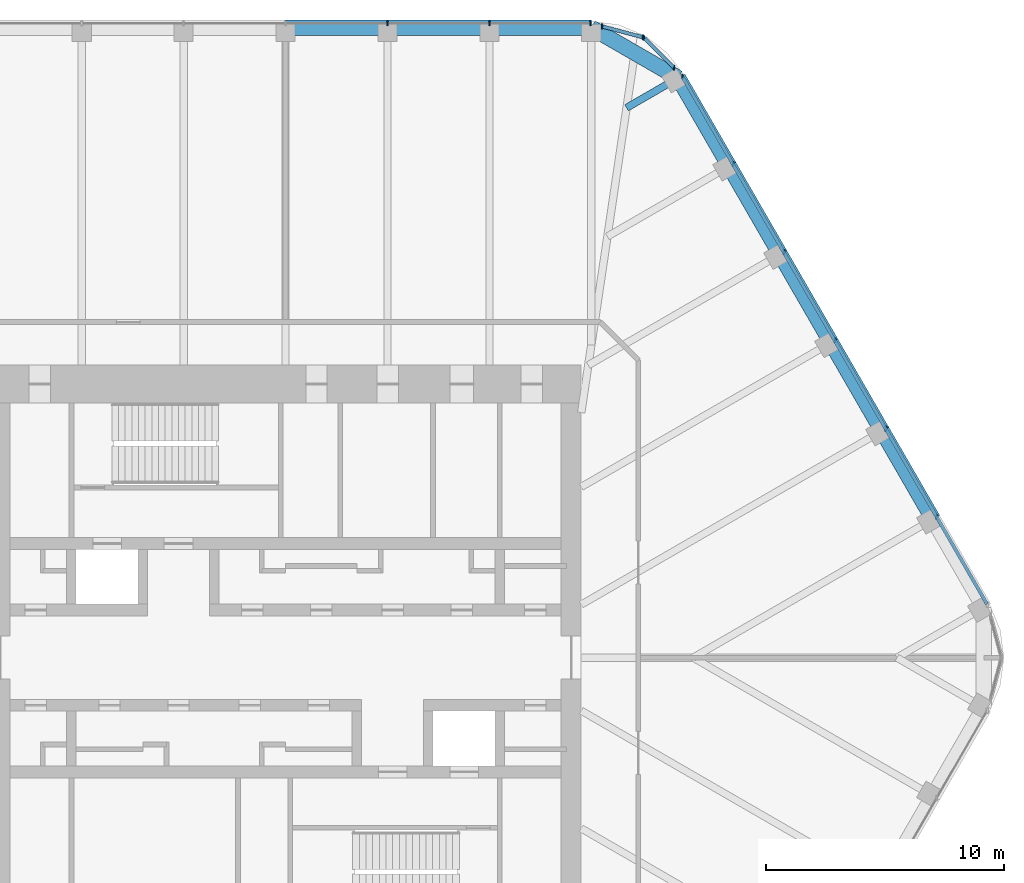
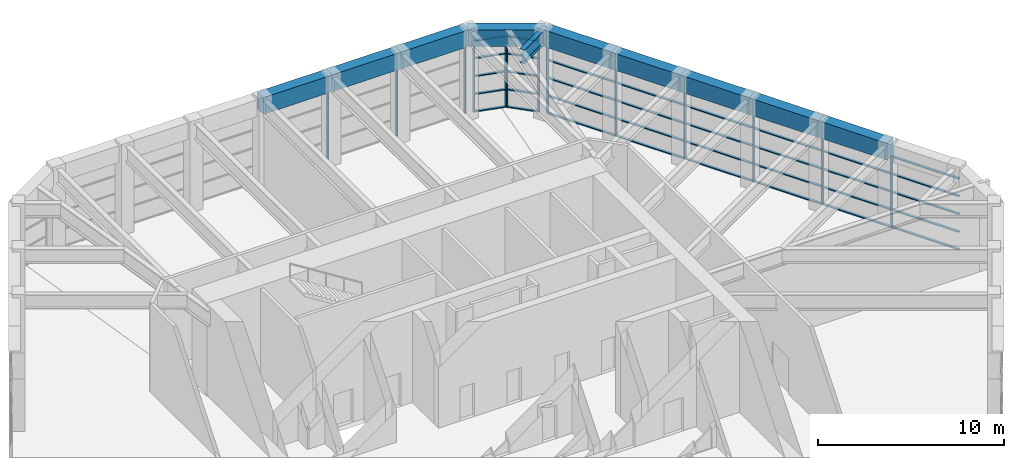
# One storey, part 9 of 16: 28 members, 10 beams, 4 elements without a shape of their own.
"""IFC4 building model written with IfcOpenShell, lengths in metres."""

from ifc_helpers import new_model, si_unit, direction, frame, origin, origin_2d, place, context, subcontext, project, spatial, rectangle, i_section, extrude, material, material_profile, profile_set, type_object, element, aggregate, save


model = new_model("IFC4")

# Units and contexts
model_context = context("Model", 3, precision=1e-05, world=origin(), true_north=direction((0.0, 1.0)))
body_context = subcontext(model_context, "Body", "Model", "MODEL_VIEW")
ifc_project = project(units=[si_unit("LENGTHUNIT", "METRE"), si_unit("AREAUNIT", "SQUARE_METRE"), si_unit("VOLUMEUNIT", "CUBIC_METRE"), si_unit("PLANEANGLEUNIT", "RADIAN"), si_unit("MASSUNIT", "GRAM", prefix="KILO")], contexts=[model_context])

# Site, building, storey
site_placement = place(None, origin())
site = spatial("IfcSite", under=ifc_project, at=site_placement, CompositionType="ELEMENT")
building_placement = place(site_placement, origin())
building = spatial("IfcBuilding", under=site, at=building_placement, Name="Tarfa Lantern Tower", CompositionType="ELEMENT")
storey_placement = place(building_placement, frame((0.0, 0.0, 396.300048828125)))
storey = spatial("IfcBuildingStorey", under=building, at=storey_placement, Name="L90", CompositionType="ELEMENT", Elevation=396.300048828125)

# Curtain wall, members
ifc_material_1 = material(Name="Aluminium framed curtain wall", Category="aluminium")
curtain_wall_type = type_object("IfcCurtainWallType", Name="CW8 LANTERN GLAZING 4700", PredefinedType="USERDEFINED", material=ifc_material_1)
curtain_wall_1_placement = place(storey_placement, origin())
curtain_wall_1 = element("IfcCurtainWall", 1, at=curtain_wall_1_placement, inside=storey, type_object=curtain_wall_type, Name="CW8 NEN1 L90", ObjectType="CURTAIN WALL", PredefinedType="USERDEFINED")
ifc_material_2 = material(Name="Aluminium mullion", Category="aluminium")
ifc_material_profile_1 = material_profile(ifc_material_2, rectangle(XDim=0.06494140625, YDim=0.199951171875, at=origin_2d()), Name="AL MULLION 65x200")
ifc_profile_set_1 = profile_set([ifc_material_profile_1], Name="Aluminium mullion")
member_type_1 = type_object("IfcMemberType", Name="CWM1 MULLION 65x200", PredefinedType="MULLION", material=ifc_profile_set_1)
member_1_placement = place(storey_placement, frame((16.32177734375, 24.78466796875, 0.0), z_axis=(0.0, 0.0, 1.0), x_axis=(1.0, 0.0, 0.0)))
member_1 = element("IfcMember", 2, at=member_1_placement, type_object=member_type_1, Name="CW8 mullion 1", PredefinedType="MULLION", context=body_context, shape_type="SweptSolid", body=[
    extrude(rectangle(XDim=0.06494140625, YDim=0.199951171875, at=origin_2d()), origin(), (0.0, 0.0, 1.0), 4.699951171875),
])
member_2_placement = place(storey_placement, frame((15.069091796875, 26.03759765625, 0.0), z_axis=(0.0, 0.0, 1.0), x_axis=(1.0, 0.0, 0.0)))
member_2 = element("IfcMember", 3, at=member_2_placement, type_object=member_type_1, Name="CW8 mullion 2", PredefinedType="MULLION", context=body_context, shape_type="SweptSolid", body=[
    extrude(rectangle(XDim=0.06494140625, YDim=0.199951171875, at=origin_2d()), origin(), (0.0, 0.0, 1.0), 4.699951171875),
])

curtain_wall_2_placement = place(storey_placement, origin())
curtain_wall_2 = element("IfcCurtainWall", 4, at=curtain_wall_2_placement, inside=storey, type_object=curtain_wall_type, Name="CW8 NEN2 L90", ObjectType="CURTAIN WALL", PredefinedType="USERDEFINED")
member_3_placement = place(storey_placement, frame((15.0146484375, 26.06884765625, 0.0), z_axis=(0.0, 0.0, 1.0), x_axis=(1.0, 0.0, 0.0)))
member_3 = element("IfcMember", 5, at=member_3_placement, type_object=member_type_1, Name="CW8 mullion 1", PredefinedType="MULLION", context=body_context, shape_type="SweptSolid", body=[
    extrude(rectangle(XDim=0.06494140625, YDim=0.199951171875, at=origin_2d()), origin(), (0.0, 0.0, 1.0), 4.699951171875),
])
member_4_placement = place(storey_placement, frame((13.30322265625, 26.527587890625, 0.0), z_axis=(0.0, 0.0, 1.0), x_axis=(1.0, 0.0, 0.0)))
member_4 = element("IfcMember", 6, at=member_4_placement, type_object=member_type_1, Name="CW8 mullion 2", PredefinedType="MULLION", context=body_context, shape_type="SweptSolid", body=[
    extrude(rectangle(XDim=0.06494140625, YDim=0.199951171875, at=origin_2d()), origin(), (0.0, 0.0, 1.0), 4.699951171875),
])

curtain_wall_3_placement = place(storey_placement, origin())
curtain_wall_3 = element("IfcCurtainWall", 7, at=curtain_wall_3_placement, inside=storey, type_object=curtain_wall_type, Name="CW8 NE L90", ObjectType="CURTAIN WALL", PredefinedType="USERDEFINED")
member_5_placement = place(storey_placement, frame((27.361572265625, 5.908447265625, 0.0), z_axis=(0.0, 0.0, 1.0), x_axis=(1.0, 0.0, 0.0)))
member_5 = element("IfcMember", 8, at=member_5_placement, type_object=member_type_1, Name="CW8 mullion 2", PredefinedType="MULLION", context=body_context, shape_type="SweptSolid", body=[
    extrude(rectangle(XDim=0.06494140625, YDim=0.199951171875, at=origin_2d()), origin(), (0.0, 0.0, 1.0), 4.699951171875),
])
member_6_placement = place(storey_placement, frame((25.220703125, 9.61669921875, 0.0), z_axis=(0.0, 0.0, 1.0), x_axis=(1.0, 0.0, 0.0)))
member_6 = element("IfcMember", 9, at=member_6_placement, type_object=member_type_1, Name="CW8 mullion 3", PredefinedType="MULLION", context=body_context, shape_type="SweptSolid", body=[
    extrude(rectangle(XDim=0.06494140625, YDim=0.199951171875, at=origin_2d()), origin(), (0.0, 0.0, 1.0), 4.699951171875),
])
member_7_placement = place(storey_placement, frame((23.07958984375, 13.324951171875, 0.0), z_axis=(0.0, 0.0, 1.0), x_axis=(1.0, 0.0, 0.0)))
member_7 = element("IfcMember", 10, at=member_7_placement, type_object=member_type_1, Name="CW8 mullion 4", PredefinedType="MULLION", context=body_context, shape_type="SweptSolid", body=[
    extrude(rectangle(XDim=0.06494140625, YDim=0.199951171875, at=origin_2d()), origin(), (0.0, 0.0, 1.0), 4.699951171875),
])
member_8_placement = place(storey_placement, frame((20.9384765625, 17.033447265625, 0.0), z_axis=(0.0, 0.0, 1.0), x_axis=(1.0, 0.0, 0.0)))
member_8 = element("IfcMember", 11, at=member_8_placement, type_object=member_type_1, Name="CW8 mullion 5", PredefinedType="MULLION", context=body_context, shape_type="SweptSolid", body=[
    extrude(rectangle(XDim=0.06494140625, YDim=0.199951171875, at=origin_2d()), origin(), (0.0, 0.0, 1.0), 4.699951171875),
])
member_9_placement = place(storey_placement, frame((18.797607421875, 20.74169921875, 0.0), z_axis=(0.0, 0.0, 1.0), x_axis=(1.0, 0.0, 0.0)))
member_9 = element("IfcMember", 12, at=member_9_placement, type_object=member_type_1, Name="CW8 mullion 6", PredefinedType="MULLION", context=body_context, shape_type="SweptSolid", body=[
    extrude(rectangle(XDim=0.06494140625, YDim=0.199951171875, at=origin_2d()), origin(), (0.0, 0.0, 1.0), 4.699951171875),
])
member_10_placement = place(storey_placement, frame((16.6728515625, 24.421875, 0.0), z_axis=(0.0, 0.0, 1.0), x_axis=(1.0, 0.0, 0.0)))
member_10 = element("IfcMember", 13, at=member_10_placement, type_object=member_type_1, Name="CW8 mullion 7", PredefinedType="MULLION", context=body_context, shape_type="SweptSolid", body=[
    extrude(rectangle(XDim=0.06494140625, YDim=0.199951171875, at=origin_2d()), origin(), (0.0, 0.0, 1.0), 4.699951171875),
])

curtain_wall_4_placement = place(storey_placement, origin())
curtain_wall_4 = element("IfcCurtainWall", 14, at=curtain_wall_4_placement, inside=storey, type_object=curtain_wall_type, Name="CW8 N L90", ObjectType="CURTAIN WALL", PredefinedType="USERDEFINED")
member_11_placement = place(storey_placement, frame((12.8134765625, 26.64990234375, 0.0), z_axis=(0.0, 0.0, 1.0), x_axis=(1.0, 0.0, 0.0)))
member_11 = element("IfcMember", 15, at=member_11_placement, type_object=member_type_1, Name="CW8 mullion 1", PredefinedType="MULLION", context=body_context, shape_type="SweptSolid", body=[
    extrude(rectangle(XDim=0.06494140625, YDim=0.199951171875, at=origin_2d()), origin(), (0.0, 0.0, 1.0), 4.699951171875),
])
member_12_placement = place(storey_placement, frame((8.56396484375, 26.64990234375, 0.0), z_axis=(0.0, 0.0, 1.0), x_axis=(1.0, 0.0, 0.0)))
member_12 = element("IfcMember", 16, at=member_12_placement, type_object=member_type_1, Name="CW8 mullion 2", PredefinedType="MULLION", context=body_context, shape_type="SweptSolid", body=[
    extrude(rectangle(XDim=0.06494140625, YDim=0.199951171875, at=origin_2d()), origin(), (0.0, 0.0, 1.0), 4.699951171875),
])
member_13_placement = place(storey_placement, frame((4.281982421875, 26.64990234375, 0.0), z_axis=(0.0, 0.0, 1.0), x_axis=(1.0, 0.0, 0.0)))
member_13 = element("IfcMember", 17, at=member_13_placement, type_object=member_type_1, Name="CW8 mullion 3", PredefinedType="MULLION", context=body_context, shape_type="SweptSolid", body=[
    extrude(rectangle(XDim=0.06494140625, YDim=0.199951171875, at=origin_2d()), origin(), (0.0, 0.0, 1.0), 4.699951171875),
])
aggregate(curtain_wall_4, [member_11, member_12, member_13])

# Member
ifc_material_3 = material(Name="Aluminium transom", Category="aluminium")
ifc_material_profile_2 = material_profile(ifc_material_3, rectangle(XDim=0.14990234375, YDim=0.06494140625, at=origin_2d()), Name="AL TRANSOM 150x65")
ifc_profile_set_2 = profile_set([ifc_material_profile_2], Name="Aluminium transom")
member_type_2 = type_object("IfcMemberType", Name="CWT1 TRANSOM 150x65", PredefinedType="USERDEFINED", material=ifc_profile_set_2)
member_14_placement = place(storey_placement, frame((16.298828125, 24.8076171875, 0.032470703125), z_axis=(-0.707035258729, 0.70717829641, 0.0), x_axis=(-0.70717829641, -0.707035258729, 0.0)))
member_14 = element("IfcMember", 18, at=member_14_placement, type_object=member_type_2, Name="CW8 transom 1.1", ObjectType="TRANSOM", PredefinedType="USERDEFINED", context=body_context, shape_type="SweptSolid", body=[
    extrude(rectangle(XDim=0.14990234375, YDim=0.06494140625, at=origin_2d()), origin(), (0.0, 0.0, 1.0), 1.706787109375),
])

member_15_placement = place(storey_placement, frame((16.298828125, 24.8076171875, 1.175048828125), z_axis=(-0.707035258729, 0.70717829641, 0.0), x_axis=(-0.70717829641, -0.707035258729, 0.0)))
member_15 = element("IfcMember", 19, at=member_15_placement, type_object=member_type_2, Name="CW8 transom 1.2", ObjectType="TRANSOM", PredefinedType="USERDEFINED", context=body_context, shape_type="SweptSolid", body=[
    extrude(rectangle(XDim=0.14990234375, YDim=0.06494140625, at=origin_2d()), origin(), (0.0, 0.0, 1.0), 1.706787109375),
])

member_16_placement = place(storey_placement, frame((16.298828125, 24.8076171875, 2.349853515625), z_axis=(-0.707035258729, 0.70717829641, 0.0), x_axis=(-0.70717829641, -0.707035258729, 0.0)))
member_16 = element("IfcMember", 20, at=member_16_placement, type_object=member_type_2, Name="CW8 transom 1.3", ObjectType="TRANSOM", PredefinedType="USERDEFINED", context=body_context, shape_type="SweptSolid", body=[
    extrude(rectangle(XDim=0.14990234375, YDim=0.06494140625, at=origin_2d()), origin(), (0.0, 0.0, 1.0), 1.706787109375),
])

member_17_placement = place(storey_placement, frame((16.298828125, 24.8076171875, 3.52490234375), z_axis=(-0.707035258729, 0.70717829641, 0.0), x_axis=(-0.70717829641, -0.707035258729, 0.0)))
member_17 = element("IfcMember", 21, at=member_17_placement, type_object=member_type_2, Name="CW8 transom 1.4", ObjectType="TRANSOM", PredefinedType="USERDEFINED", context=body_context, shape_type="SweptSolid", body=[
    extrude(rectangle(XDim=0.14990234375, YDim=0.06494140625, at=origin_2d()), origin(), (0.0, 0.0, 1.0), 1.706787109375),
])

member_18_placement = place(storey_placement, frame((16.298828125, 24.8076171875, 4.66748046875), z_axis=(-0.707035258729, 0.70717829641, 0.0), x_axis=(-0.70717829641, -0.707035258729, 0.0)))
member_18 = element("IfcMember", 22, at=member_18_placement, type_object=member_type_2, Name="CW8 transom 1.5", ObjectType="TRANSOM", PredefinedType="USERDEFINED", context=body_context, shape_type="SweptSolid", body=[
    extrude(rectangle(XDim=0.14990234375, YDim=0.06494140625, at=origin_2d()), origin(), (0.0, 0.0, 1.0), 1.706787109375),
])

aggregate(curtain_wall_1, [member_1, member_2, member_14, member_15, member_16, member_17, member_18])

member_19_placement = place(storey_placement, frame((14.983154296875, 26.077392578125, 0.032470703125), z_axis=(-0.965932726646, 0.258793291247, 0.0), x_axis=(-0.258793291247, -0.965932726646, 0.0)))
member_19 = element("IfcMember", 23, at=member_19_placement, type_object=member_type_2, Name="CW8 transom 1.1", ObjectType="TRANSOM", PredefinedType="USERDEFINED", context=body_context, shape_type="SweptSolid", body=[
    extrude(rectangle(XDim=0.14990234375, YDim=0.06494140625, at=origin_2d()), origin(), (0.0, 0.0, 1.0), 1.70654296875),
])

member_20_placement = place(storey_placement, frame((14.983154296875, 26.077392578125, 1.175048828125), z_axis=(-0.965932726646, 0.258793291247, 0.0), x_axis=(-0.258793291247, -0.965932726646, 0.0)))
member_20 = element("IfcMember", 24, at=member_20_placement, type_object=member_type_2, Name="CW8 transom 1.2", ObjectType="TRANSOM", PredefinedType="USERDEFINED", context=body_context, shape_type="SweptSolid", body=[
    extrude(rectangle(XDim=0.14990234375, YDim=0.06494140625, at=origin_2d()), origin(), (0.0, 0.0, 1.0), 1.70654296875),
])

member_21_placement = place(storey_placement, frame((14.983154296875, 26.077392578125, 2.349853515625), z_axis=(-0.965932726646, 0.258793291247, 0.0), x_axis=(-0.258793291247, -0.965932726646, 0.0)))
member_21 = element("IfcMember", 25, at=member_21_placement, type_object=member_type_2, Name="CW8 transom 1.3", ObjectType="TRANSOM", PredefinedType="USERDEFINED", context=body_context, shape_type="SweptSolid", body=[
    extrude(rectangle(XDim=0.14990234375, YDim=0.06494140625, at=origin_2d()), origin(), (0.0, 0.0, 1.0), 1.70654296875),
])

member_22_placement = place(storey_placement, frame((14.983154296875, 26.077392578125, 3.52490234375), z_axis=(-0.965932726646, 0.258793291247, 0.0), x_axis=(-0.258793291247, -0.965932726646, 0.0)))
member_22 = element("IfcMember", 26, at=member_22_placement, type_object=member_type_2, Name="CW8 transom 1.4", ObjectType="TRANSOM", PredefinedType="USERDEFINED", context=body_context, shape_type="SweptSolid", body=[
    extrude(rectangle(XDim=0.14990234375, YDim=0.06494140625, at=origin_2d()), origin(), (0.0, 0.0, 1.0), 1.70654296875),
])

member_23_placement = place(storey_placement, frame((14.983154296875, 26.077392578125, 4.66748046875), z_axis=(-0.965932726646, 0.258793291247, 0.0), x_axis=(-0.258793291247, -0.965932726646, 0.0)))
member_23 = element("IfcMember", 27, at=member_23_placement, type_object=member_type_2, Name="CW8 transom 1.5", ObjectType="TRANSOM", PredefinedType="USERDEFINED", context=body_context, shape_type="SweptSolid", body=[
    extrude(rectangle(XDim=0.14990234375, YDim=0.06494140625, at=origin_2d()), origin(), (0.0, 0.0, 1.0), 1.70654296875),
])

aggregate(curtain_wall_2, [member_3, member_4, member_19, member_20, member_21, member_22, member_23])

member_24_placement = place(storey_placement, frame((29.47021484375, 2.25634765625, 0.032470703125), z_axis=(-0.500005475065, 0.866022242731, 0.0), x_axis=(-0.866022242731, -0.500005475065, 0.0)))
member_24 = element("IfcMember", 28, at=member_24_placement, type_object=member_type_2, Name="CW8 transom 1.1", ObjectType="TRANSOM", PredefinedType="USERDEFINED", context=body_context, shape_type="SweptSolid", body=[
    extrude(rectangle(XDim=0.14990234375, YDim=0.06494140625, at=origin_2d()), origin(), (0.0, 0.0, 1.0), 25.562255859375),
])

member_25_placement = place(storey_placement, frame((29.47021484375, 2.25634765625, 1.175048828125), z_axis=(-0.500005475065, 0.866022242731, 0.0), x_axis=(-0.866022242731, -0.500005475065, 0.0)))
member_25 = element("IfcMember", 29, at=member_25_placement, type_object=member_type_2, Name="CW8 transom 1.2", ObjectType="TRANSOM", PredefinedType="USERDEFINED", context=body_context, shape_type="SweptSolid", body=[
    extrude(rectangle(XDim=0.14990234375, YDim=0.06494140625, at=origin_2d()), origin(), (0.0, 0.0, 1.0), 25.562255859375),
])

member_26_placement = place(storey_placement, frame((29.47021484375, 2.25634765625, 2.349853515625), z_axis=(-0.500005475065, 0.866022242731, 0.0), x_axis=(-0.866022242731, -0.500005475065, 0.0)))
member_26 = element("IfcMember", 30, at=member_26_placement, type_object=member_type_2, Name="CW8 transom 1.3", ObjectType="TRANSOM", PredefinedType="USERDEFINED", context=body_context, shape_type="SweptSolid", body=[
    extrude(rectangle(XDim=0.14990234375, YDim=0.06494140625, at=origin_2d()), origin(), (0.0, 0.0, 1.0), 25.562255859375),
])

member_27_placement = place(storey_placement, frame((29.47021484375, 2.25634765625, 3.52490234375), z_axis=(-0.500005475065, 0.866022242731, 0.0), x_axis=(-0.866022242731, -0.500005475065, 0.0)))
member_27 = element("IfcMember", 31, at=member_27_placement, type_object=member_type_2, Name="CW8 transom 1.4", ObjectType="TRANSOM", PredefinedType="USERDEFINED", context=body_context, shape_type="SweptSolid", body=[
    extrude(rectangle(XDim=0.14990234375, YDim=0.06494140625, at=origin_2d()), origin(), (0.0, 0.0, 1.0), 25.562255859375),
])

member_28_placement = place(storey_placement, frame((29.47021484375, 2.25634765625, 4.66748046875), z_axis=(-0.500005475065, 0.866022242731, 0.0), x_axis=(-0.866022242731, -0.500005475065, 0.0)))
member_28 = element("IfcMember", 32, at=member_28_placement, type_object=member_type_2, Name="CW8 transom 1.5", ObjectType="TRANSOM", PredefinedType="USERDEFINED", context=body_context, shape_type="SweptSolid", body=[
    extrude(rectangle(XDim=0.14990234375, YDim=0.06494140625, at=origin_2d()), origin(), (0.0, 0.0, 1.0), 25.562255859375),
])

aggregate(curtain_wall_3, [member_5, member_6, member_7, member_8, member_9, member_10, member_24, member_25, member_26, member_27, member_28])

# Beams
ifc_material_4 = material(Name="Concrete C80/95", Category="concrete")
ifc_material_profile_3 = material_profile(ifc_material_4, rectangle(XDim=0.64990234375, YDim=1.10009765625, at=origin_2d()), Name="RC 650x1100")
ifc_profile_set_3 = profile_set([ifc_material_profile_3], Name="Concrete C80/95")
beam_type_1 = type_object("IfcBeamType", Name="EB4 RC 650x1100", PredefinedType="SPANDREL", material=ifc_profile_set_3)
beam_1_placement = place(storey_placement, frame((27.205810546875, 5.818359375, 5.25), z_axis=(-0.500026801138, 0.866009929587, 0.0), x_axis=(-0.866009929587, -0.500026801138, 0.0)))
element("IfcBeam", 33, at=beam_1_placement, inside=storey, type_object=beam_type_1, Name="Edge beam NE1", PredefinedType="SPANDREL", context=body_context, shape_type="SweptSolid", body=[
    extrude(rectangle(XDim=0.64990234375, YDim=1.10009765625, at=origin_2d()), origin(), (0.0, 0.0, 1.0), 4.281982421875),
])
beam_2_placement = place(storey_placement, frame((25.064697265625, 9.526611328125, 5.25), z_axis=(-0.500002112793, 0.866024183959, 0.0), x_axis=(-0.866024183959, -0.500002112793, 0.0)))
element("IfcBeam", 34, at=beam_2_placement, inside=storey, type_object=beam_type_1, Name="Edge beam NE2", PredefinedType="SPANDREL", context=body_context, shape_type="SweptSolid", body=[
    extrude(rectangle(XDim=0.64990234375, YDim=1.10009765625, at=origin_2d()), origin(), (0.0, 0.0, 1.0), 4.2822265625),
])
for number, where, z_axis, x_axis, name in (
    (35, (22.923583984375, 13.235107421875, 5.25), (-0.499984039138, 0.866034618596, 0.0), (-0.866034618596, -0.499984039138, 0.0), "Edge beam NE3"),
    (36, (20.78271484375, 16.943359375, 5.25), (-0.500026801138, 0.866009929587, 0.0), (-0.866009929587, -0.500026801138, 0.0), "Edge beam NE4"),
    (37, (18.6416015625, 20.651611328125, 5.25), (-0.499959351497, 0.866048870937, 0.0), (-0.866048870937, -0.499959351497, 0.0), "Edge beam NE5"),
):
    element("IfcBeam", number, at=place(storey_placement, frame(where, z_axis=z_axis, x_axis=x_axis)), inside=storey, type_object=beam_type_1, Name=name, PredefinedType="SPANDREL", context=body_context, shape_type="SweptSolid", body=[
        extrude(rectangle(XDim=0.64990234375, YDim=1.10009765625, at=origin_2d()), origin(), (0.0, 0.0, 1.0), 4.281982421875),
    ])
beam_3_placement = place(storey_placement, frame((16.500732421875, 24.360107421875, 5.25), z_axis=(-0.866048788483, 0.499959494327, 0.0), x_axis=(-0.499959494327, -0.866048788483, 0.0)))
element("IfcBeam", 38, at=beam_3_placement, inside=storey, type_object=beam_type_1, Name="Edge beam NE6", PredefinedType="SPANDREL", context=body_context, shape_type="SweptSolid", body=[
    extrude(rectangle(XDim=0.64990234375, YDim=1.10009765625, at=origin_2d()), origin(), (0.0, 0.0, 1.0), 4.219970703125),
])
for number, where, z_axis, x_axis, name in (
    (39, (12.845947265625, 26.469970703125, 5.25), (-1.0, 0.0, 0.0), (0.0, -1.0, 0.0), "Edge beam N0"),
    (40, (8.56396484375, 26.469970703125, 5.25), (-1.0, 0.0, 0.0), (0.0, -1.0, 0.0), "Edge beam N1"),
    (41, (4.281982421875, 26.469970703125, 5.25), (-1.0, 0.0, 0.0), (0.0, -1.0, 0.0), "Edge beam N2"),
):
    element("IfcBeam", number, at=place(storey_placement, frame(where, z_axis=z_axis, x_axis=x_axis)), inside=storey, type_object=beam_type_1, Name=name, PredefinedType="SPANDREL", context=body_context, shape_type="SweptSolid", body=[
        extrude(rectangle(XDim=0.64990234375, YDim=1.10009765625, at=origin_2d()), origin(), (0.0, 0.0, 1.0), 4.281982421875),
    ])
ifc_material_5 = material(Name="Steel S460M", Category="steel")
ifc_material_profile_4 = material_profile(ifc_material_5, i_section(OverallWidth=0.305419921875, OverallDepth=0.91845703125, WebThickness=0.017333984375, FlangeThickness=0.02783203125, FilletRadius=0.01904296875, at=origin_2d()), Name="UB914x305x253")
ifc_profile_set_4 = profile_set([ifc_material_profile_4], Name="Steel S460M")
beam_type_2 = type_object("IfcBeamType", Name="UB914x305x253", PredefinedType="BEAM", material=ifc_profile_set_4)
beam_4_placement = place(storey_placement, frame((16.500732421875, 24.360107421875, 5.3408203125), z_axis=(-0.865992557167, -0.500056887695, 0.0), x_axis=(0.500056887695, -0.865992557167, 0.0)))
element("IfcBeam", 42, at=beam_4_placement, inside=storey, type_object=beam_type_2, Name="Floor beam NE6", PredefinedType="BEAM", context=body_context, shape_type="SweptSolid", body=[
    extrude(i_section(OverallWidth=0.305419921875, OverallDepth=0.91845703125, WebThickness=0.017333984375, FlangeThickness=0.02783203125, FilletRadius=0.01904296875, at=origin_2d()), origin(), (0.0, 0.0, 1.0), 2.506591796875),
])

save(model, "model.ifc")
